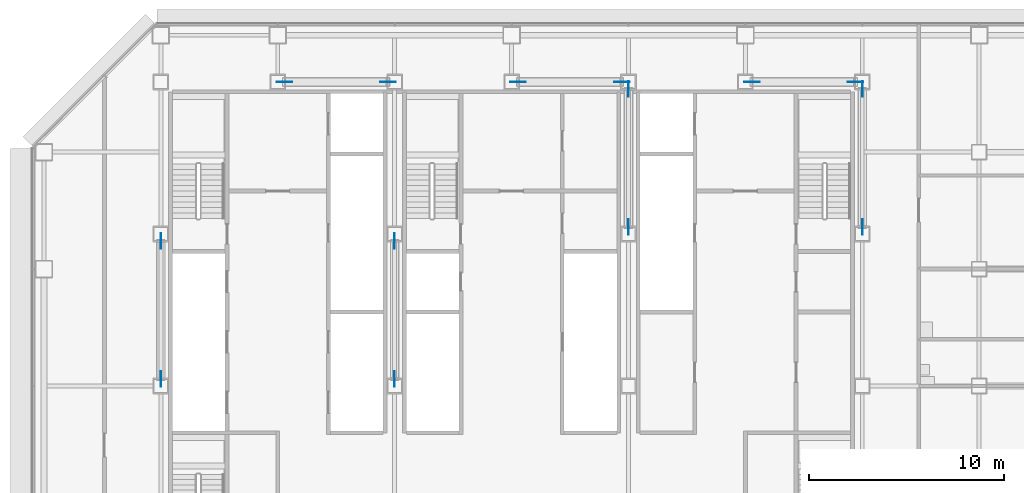
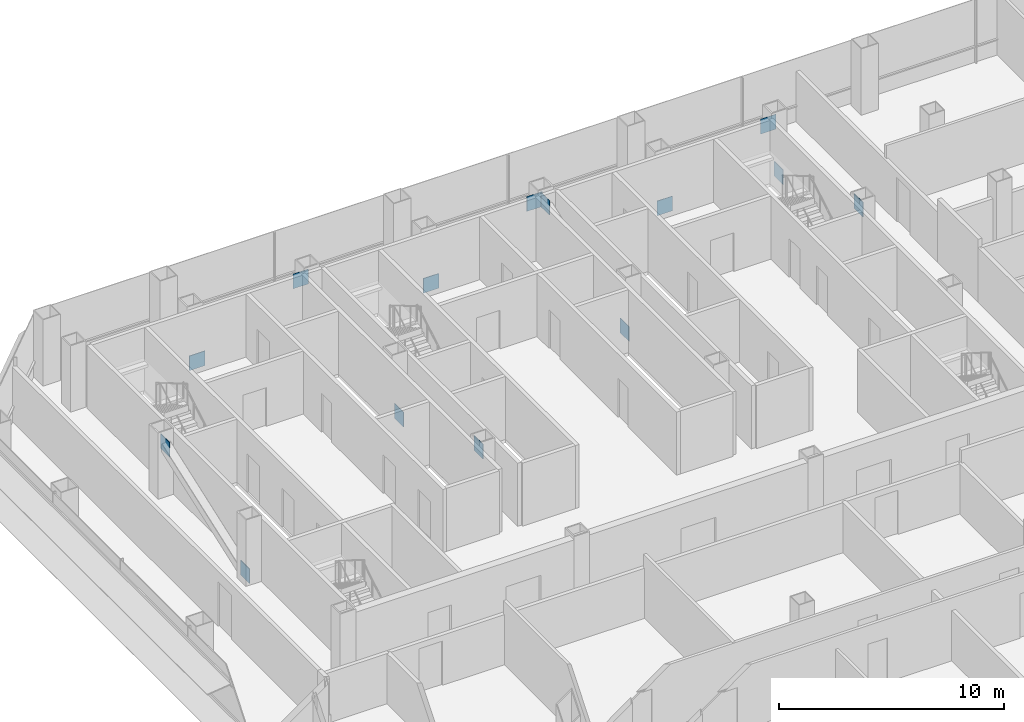
# One storey, part 25 of 27: 14 discrete accessories.
"""IFC4 building model written with IfcOpenShell, lengths in metres."""

from ifc_helpers import new_model, si_unit, direction, frame, origin, origin_2d, place, context, subcontext, project, spatial, rectangle, extrude, material, layer, layer_set, type_object, element, save


model = new_model("IFC4")

# Units and contexts
model_context = context("Model", 3, precision=1e-05, world=origin(), true_north=direction((0.0, 1.0)))
body_context = subcontext(model_context, "Body", "Model", "MODEL_VIEW")
ifc_project = project(units=[si_unit("LENGTHUNIT", "METRE"), si_unit("AREAUNIT", "SQUARE_METRE"), si_unit("VOLUMEUNIT", "CUBIC_METRE"), si_unit("PLANEANGLEUNIT", "RADIAN"), si_unit("MASSUNIT", "GRAM", prefix="KILO")], contexts=[model_context])

# Site, building, storey
site_placement = place(None, origin())
site = spatial("IfcSite", under=ifc_project, at=site_placement, CompositionType="ELEMENT")
building_placement = place(site_placement, origin())
building = spatial("IfcBuilding", under=site, at=building_placement, Name="Sorahane Residences", CompositionType="ELEMENT")
storey_placement = place(building_placement, frame((0.0, 0.0, 78.60009765625)))
storey = spatial("IfcBuildingStorey", under=building, at=storey_placement, Name="L16", CompositionType="ELEMENT", Elevation=78.60009765625)

# Discrete accessories
ifc_material = material(Name="Steel Q355B", Category="steel")
ifc_layer = layer(ifc_material, 0.02490234375)
ifc_layer_set = layer_set([ifc_layer], Name="Node plate Steel Q355B 25")
discrete_accessory_type = type_object("IfcDiscreteAccessoryType", Name="Node plate Steel Q355B 25", PredefinedType="BRACKET", material=ifc_layer_set)
for number, where, z_axis, x_axis, name in (
    (1, (6.0, 30.354248046875, -0.19140625), (0.0, 0.0, 1.0), (0.0, 1.0, 0.0), "Node plate L16 br"),
    (2, (6.0, 37.44580078125, 2.361328125), (0.0, 0.0, 1.0), (0.0, 1.0, 0.0), "Node plate L16 br"),
    (3, (18.0, 37.44580078125, -0.19140625), (0.0, 0.0, 1.0), (0.0, 1.0, 0.0), "Node plate L16 br"),
    (4, (18.0, 30.354248046875, 2.361328125), (0.0, 0.0, 1.0), (0.0, 1.0, 0.0), "Node plate L16 br"),
    (5, (30.0, 38.154296875, -0.19140625), (0.0, 0.0, 1.0), (0.0, 1.0, 0.0), "Node plate L16 br"),
    (6, (30.0, 45.24560546875, 2.361328125), (0.0, 0.0, 1.0), (0.0, 1.0, 0.0), "Node plate L16 br"),
    (7, (42.0, 45.24560546875, -0.19140625), (0.0, 0.0, 1.0), (0.0, 1.0, 0.0), "Node plate L16 br"),
    (8, (42.0, 38.154296875, 2.361328125), (0.0, 0.0, 1.0), (0.0, 1.0, 0.0), "Node plate L16 br"),
    (9, (12.341064453125, 45.60009765625, -0.20361328125), (0.0, 0.0, 1.0), (1.0, 0.0, 0.0), "Node plate L16 br"),
    (10, (24.341064453125, 45.60009765625, -0.20361328125), (0.0, 0.0, 1.0), (1.0, 0.0, 0.0), "Node plate L16 br"),
    (11, (36.341064453125, 45.60009765625, -0.20361328125), (0.0, 0.0, 1.0), (1.0, 0.0, 0.0), "Node plate L16 br"),
    (12, (17.658935546875, 45.60009765625, 2.37353515625), (0.0, 0.0, 1.0), (1.0, 0.0, 0.0), "Node plate L16 br"),
    (13, (29.658935546875, 45.60009765625, 2.37353515625), (0.0, 0.0, 1.0), (1.0, 0.0, 0.0), "Node plate L16 br"),
    (14, (41.658935546875, 45.60009765625, 2.37353515625), (0.0, 0.0, 1.0), (1.0, 0.0, 0.0), "Node plate L16 br"),
):
    element("IfcDiscreteAccessory", number, at=place(storey_placement, frame(where, z_axis=z_axis, x_axis=x_axis)), inside=storey, type_object=discrete_accessory_type, Name=name, PredefinedType="BRACKET", context=body_context, shape_type="SweptSolid", body=[
        extrude(rectangle(XDim=0.800048828125, YDim=0.02490234375, at=origin_2d()), origin(), (0.0, 0.0, 1.0), 0.800048828125),
    ])

save(model, "model.ifc")
